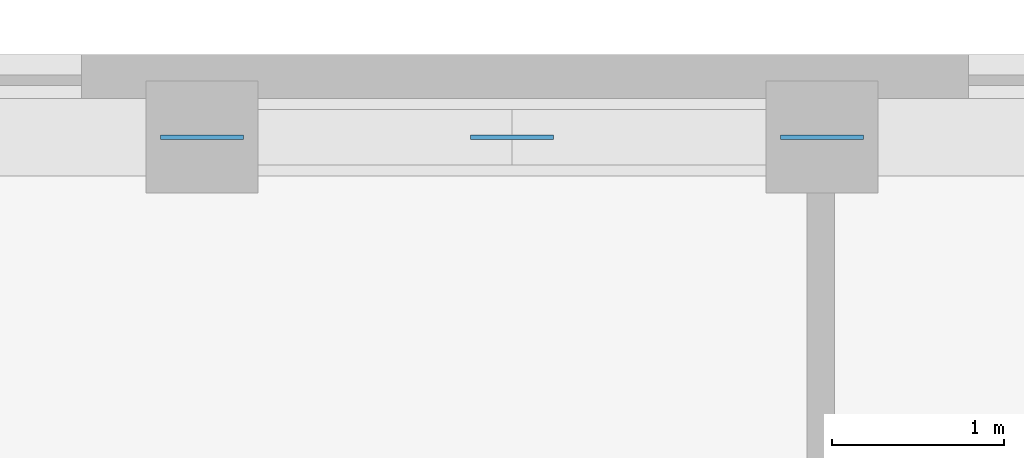
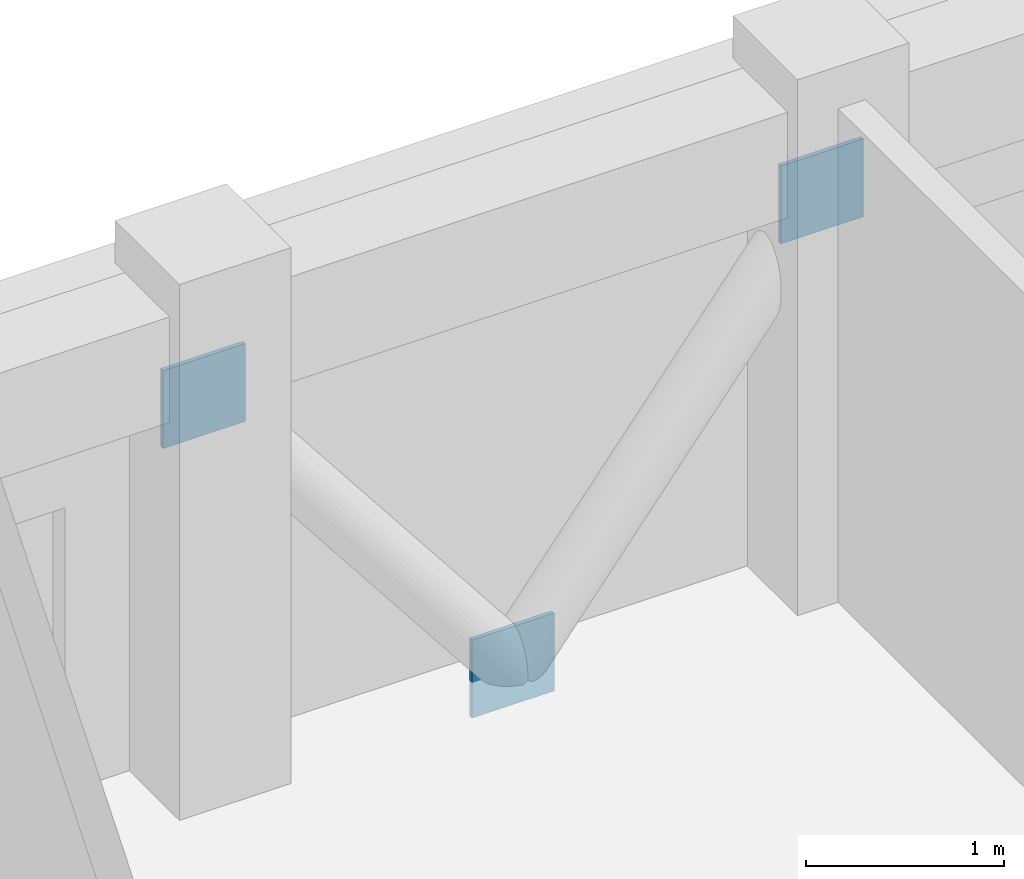
# One storey, part 9 of 11: 3 discrete accessories.
"""IFC4 building model written with IfcOpenShell, lengths in metres."""

from ifc_helpers import new_model, si_unit, derived_unit, direction, frame, origin, origin_2d, place, context, subcontext, project, spatial, rectangle, extrude, material, layer, layer_set, type_object, element, save


model = new_model("IFC4")

# Units and contexts
model_context = context("Model", 3, precision=1e-05, world=origin(), true_north=direction((0.0, 1.0)))
body_context = subcontext(model_context, "Body", "Model", "MODEL_VIEW")
ifc_project = project(units=[si_unit("LENGTHUNIT", "METRE"), si_unit("AREAUNIT", "SQUARE_METRE"), si_unit("VOLUMEUNIT", "CUBIC_METRE"), si_unit("PLANEANGLEUNIT", "RADIAN"), si_unit("MASSUNIT", "GRAM", prefix="KILO"), derived_unit("THERMALTRANSMITTANCEUNIT", [(si_unit("MASSUNIT", "GRAM", prefix="KILO"), 1), (si_unit("TIMEUNIT", "SECOND"), -3), (si_unit("THERMODYNAMICTEMPERATUREUNIT", "KELVIN"), -1)])], contexts=[model_context])

# Site, building, storey
site_placement = place(None, origin())
site = spatial("IfcSite", under=ifc_project, at=site_placement, CompositionType="ELEMENT")
building_placement = place(site_placement, origin())
building = spatial("IfcBuilding", under=site, at=building_placement, Name="Korrvale Station Residences", CompositionType="ELEMENT")
storey_placement = place(building_placement, frame((0.0, 0.0, 210.699951171875)))
storey = spatial("IfcBuildingStorey", under=building, at=storey_placement, Name="L61", CompositionType="ELEMENT", Elevation=210.699951171875)

# Discrete accessories
ifc_material = material(Name="Steel S355", Category="steel")
ifc_layer = layer(ifc_material, 0.02490234375, Name="Steel S355")
ifc_layer_set = layer_set([ifc_layer], Name="Steel S355")
discrete_accessory_type = type_object("IfcDiscreteAccessoryType", Name="ACC-GUSSET-25", PredefinedType="BRACKET", material=ifc_layer_set)
for number, where, z_axis, x_axis, name in (
    (1, (25.0, 39.719970703125, -0.219970703125), (0.0, 0.0, 1.0), (1.0, 0.0, 0.0), "L61 N Brace End Gusset Connection M"),
    (2, (23.199951171875, 39.719970703125, 2.070068359375), (0.0, 0.0, 1.0), (1.0, 0.0, 0.0), "L61 N Brace End Gusset Connection A"),
    (3, (26.800048828125, 39.719970703125, 2.070068359375), (0.0, 0.0, 1.0), (1.0, 0.0, 0.0), "L61 N Brace End Gusset Connection B"),
):
    element("IfcDiscreteAccessory", number, at=place(storey_placement, frame(where, z_axis=z_axis, x_axis=x_axis)), inside=storey, type_object=discrete_accessory_type, Name=name, PredefinedType="BRACKET", context=body_context, shape_type="SweptSolid", body=[
        extrude(rectangle(XDim=0.47998046875, YDim=0.02490234375, at=origin_2d()), origin(), (0.0, 0.0, 1.0), 0.47998046875),
    ])

save(model, "model.ifc")
